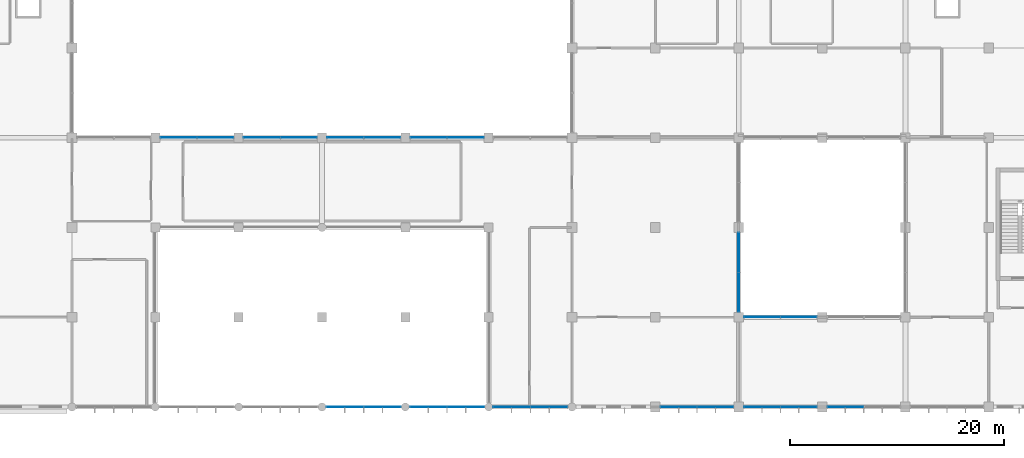
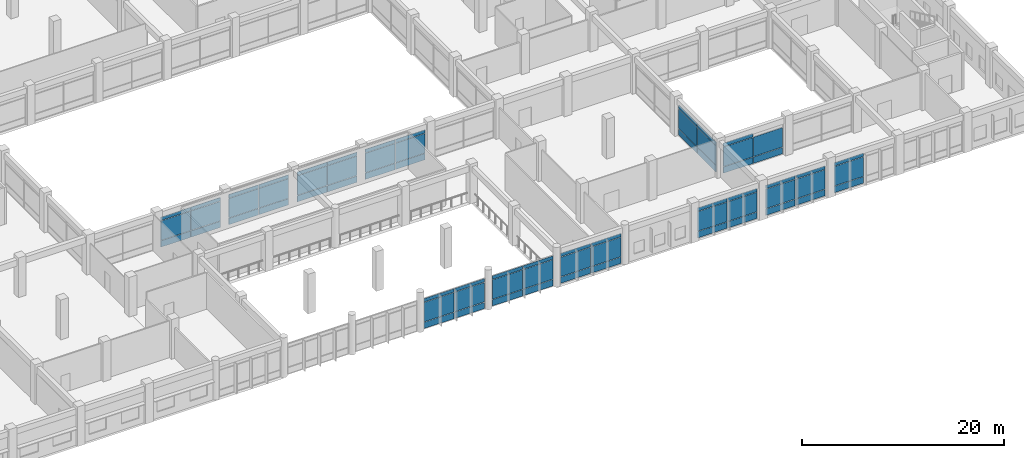
# One storey, part 49 of 79: 68 plates, 12 elements without a shape of their own.
"""IFC4 building model written with IfcOpenShell, lengths in metres."""

from ifc_helpers import new_model, si_unit, direction, frame, origin, origin_2d, place, context, subcontext, project, spatial, rectangle, extrude, material, layer, layer_set, type_object, element, aggregate, save


model = new_model("IFC4")

# Units and contexts
model_context = context("Model", 3, precision=1e-05, world=origin(), true_north=direction((0.0, 1.0)))
body_context = subcontext(model_context, "Body", "Model", "MODEL_VIEW")
ifc_project = project(units=[si_unit("LENGTHUNIT", "METRE"), si_unit("AREAUNIT", "SQUARE_METRE"), si_unit("VOLUMEUNIT", "CUBIC_METRE"), si_unit("PLANEANGLEUNIT", "RADIAN"), si_unit("MASSUNIT", "GRAM", prefix="KILO"), si_unit("THERMODYNAMICTEMPERATUREUNIT", "KELVIN"), si_unit("POWERUNIT", "WATT")], contexts=[model_context])

# Site, building, storey
site_placement = place(None, origin())
site = spatial("IfcSite", under=ifc_project, at=site_placement, CompositionType="ELEMENT")
building_placement = place(site_placement, origin())
building = spatial("IfcBuilding", under=site, at=building_placement, Name="Srebrne Nadtorze General Hospital", CompositionType="ELEMENT")
storey_placement = place(building_placement, frame((0.0, 0.0, 4.800048828125)))
storey = spatial("IfcBuildingStorey", under=building, at=storey_placement, Name="L01", CompositionType="ELEMENT", Elevation=4.800048828125)

# Curtain wall, plates
ifc_material_1 = material(Name="Anodised Aluminium", Category="aluminium")
curtain_wall_type_1 = type_object("IfcCurtainWallType", Name="Unitised curtain wall 7050x3750", PredefinedType="NOTDEFINED", material=ifc_material_1)
curtain_wall_1_placement = place(storey_placement, origin())
curtain_wall_1 = element("IfcCurtainWall", 1, at=curtain_wall_1_placement, inside=storey, type_object=curtain_wall_type_1, Name="Curtain wall CW-033", PredefinedType="NOTDEFINED")
ifc_material_2 = material(Name="Triple Low-E Glazing", Category="glass")
ifc_layer = layer(ifc_material_2, 0.050048828125)
ifc_layer_set = layer_set([ifc_layer], Name="Triple Low-E Glazing")
plate_type = type_object("IfcPlateType", Name="Glazed curtain panel 50", PredefinedType="CURTAIN_PANEL", material=ifc_layer_set)
plate_1_placement = place(storey_placement, frame((80.15380859375, 0.0, 0.06494140625), z_axis=(0.0, 0.0, 1.0), x_axis=(1.0, 0.0, 0.0)))
plate_1 = element("IfcPlate", 2, at=plate_1_placement, type_object=plate_type, Name="CW-033 panel 1.1", PredefinedType="CURTAIN_PANEL", context=body_context, shape_type="SweptSolid", body=[
    extrude(rectangle(XDim=3.427490234375, YDim=0.050048828125, at=origin_2d()), origin(), (0.0, 0.0, 1.0), 0.75244140625),
])
plate_2_placement = place(storey_placement, frame((80.15380859375, 0.0, 0.882568359375), z_axis=(0.0, 0.0, 1.0), x_axis=(1.0, 0.0, 0.0)))
plate_2 = element("IfcPlate", 3, at=plate_2_placement, type_object=plate_type, Name="CW-033 panel 1.2", PredefinedType="CURTAIN_PANEL", context=body_context, shape_type="SweptSolid", body=[
    extrude(rectangle(XDim=3.427490234375, YDim=0.050048828125, at=origin_2d()), origin(), (0.0, 0.0, 1.0), 2.3349609375),
])
plate_3_placement = place(storey_placement, frame((80.15380859375, 0.0, 3.2822265625), z_axis=(0.0, 0.0, 1.0), x_axis=(1.0, 0.0, 0.0)))
plate_3 = element("IfcPlate", 4, at=plate_3_placement, type_object=plate_type, Name="CW-033 panel 1.3", PredefinedType="CURTAIN_PANEL", context=body_context, shape_type="SweptSolid", body=[
    extrude(rectangle(XDim=3.427490234375, YDim=0.050048828125, at=origin_2d()), origin(), (0.0, 0.0, 1.0), 0.402587890625),
])
plate_4_placement = place(storey_placement, frame((83.646240234375, 0.0, 0.06494140625), z_axis=(0.0, 0.0, 1.0), x_axis=(1.0, 0.0, 0.0)))
plate_4 = element("IfcPlate", 5, at=plate_4_placement, type_object=plate_type, Name="CW-033 panel 2.1", PredefinedType="CURTAIN_PANEL", context=body_context, shape_type="SweptSolid", body=[
    extrude(rectangle(XDim=3.427490234375, YDim=0.050048828125, at=origin_2d()), origin(), (0.0, 0.0, 1.0), 0.75244140625),
])
plate_5_placement = place(storey_placement, frame((83.646240234375, 0.0, 0.882568359375), z_axis=(0.0, 0.0, 1.0), x_axis=(1.0, 0.0, 0.0)))
plate_5 = element("IfcPlate", 6, at=plate_5_placement, type_object=plate_type, Name="CW-033 panel 2.2", PredefinedType="CURTAIN_PANEL", context=body_context, shape_type="SweptSolid", body=[
    extrude(rectangle(XDim=3.427490234375, YDim=0.050048828125, at=origin_2d()), origin(), (0.0, 0.0, 1.0), 2.3349609375),
])
plate_6_placement = place(storey_placement, frame((83.646240234375, 0.0, 3.2822265625), z_axis=(0.0, 0.0, 1.0), x_axis=(1.0, 0.0, 0.0)))
plate_6 = element("IfcPlate", 7, at=plate_6_placement, type_object=plate_type, Name="CW-033 panel 2.3", PredefinedType="CURTAIN_PANEL", context=body_context, shape_type="SweptSolid", body=[
    extrude(rectangle(XDim=3.427490234375, YDim=0.050048828125, at=origin_2d()), origin(), (0.0, 0.0, 1.0), 0.402587890625),
])
aggregate(curtain_wall_1, [plate_1, plate_2, plate_3, plate_4, plate_5, plate_6])

curtain_wall_2_placement = place(storey_placement, origin())
curtain_wall_2 = element("IfcCurtainWall", 8, at=curtain_wall_2_placement, inside=storey, type_object=curtain_wall_type_1, Name="Curtain wall CW-034", PredefinedType="NOTDEFINED")
plate_7_placement = place(storey_placement, frame((87.952392578125, 0.0, 0.06005859375), z_axis=(0.0, 0.0, 1.0), x_axis=(1.0, 0.0, 0.0)))
plate_7 = element("IfcPlate", 9, at=plate_7_placement, type_object=plate_type, Name="CW-034 panel 1.1", PredefinedType="CURTAIN_PANEL", context=body_context, shape_type="SweptSolid", body=[
    extrude(rectangle(XDim=3.43505859375, YDim=0.050048828125, at=origin_2d()), origin(), (0.0, 0.0, 1.0), 0.760009765625),
])
plate_8_placement = place(storey_placement, frame((87.952392578125, 0.0, 0.8798828125), z_axis=(0.0, 0.0, 1.0), x_axis=(1.0, 0.0, 0.0)))
plate_8 = element("IfcPlate", 10, at=plate_8_placement, type_object=plate_type, Name="CW-034 panel 1.2", PredefinedType="CURTAIN_PANEL", context=body_context, shape_type="SweptSolid", body=[
    extrude(rectangle(XDim=3.43505859375, YDim=0.050048828125, at=origin_2d()), origin(), (0.0, 0.0, 1.0), 2.340087890625),
])
plate_9_placement = place(storey_placement, frame((87.952392578125, 0.0, 3.27978515625), z_axis=(0.0, 0.0, 1.0), x_axis=(1.0, 0.0, 0.0)))
plate_9 = element("IfcPlate", 11, at=plate_9_placement, type_object=plate_type, Name="CW-034 panel 1.3", PredefinedType="CURTAIN_PANEL", context=body_context, shape_type="SweptSolid", body=[
    extrude(rectangle(XDim=3.43505859375, YDim=0.050048828125, at=origin_2d()), origin(), (0.0, 0.0, 1.0), 0.409912109375),
])
plate_10_placement = place(storey_placement, frame((91.447509765625, 0.0, 0.06005859375), z_axis=(0.0, 0.0, 1.0), x_axis=(1.0, 0.0, 0.0)))
plate_10 = element("IfcPlate", 12, at=plate_10_placement, type_object=plate_type, Name="CW-034 panel 2.1", PredefinedType="CURTAIN_PANEL", context=body_context, shape_type="SweptSolid", body=[
    extrude(rectangle(XDim=3.43505859375, YDim=0.050048828125, at=origin_2d()), origin(), (0.0, 0.0, 1.0), 0.760009765625),
])
plate_11_placement = place(storey_placement, frame((91.447509765625, 0.0, 0.8798828125), z_axis=(0.0, 0.0, 1.0), x_axis=(1.0, 0.0, 0.0)))
plate_11 = element("IfcPlate", 13, at=plate_11_placement, type_object=plate_type, Name="CW-034 panel 2.2", PredefinedType="CURTAIN_PANEL", context=body_context, shape_type="SweptSolid", body=[
    extrude(rectangle(XDim=3.43505859375, YDim=0.050048828125, at=origin_2d()), origin(), (0.0, 0.0, 1.0), 2.340087890625),
])
plate_12_placement = place(storey_placement, frame((91.447509765625, 0.0, 3.27978515625), z_axis=(0.0, 0.0, 1.0), x_axis=(1.0, 0.0, 0.0)))
plate_12 = element("IfcPlate", 14, at=plate_12_placement, type_object=plate_type, Name="CW-034 panel 2.3", PredefinedType="CURTAIN_PANEL", context=body_context, shape_type="SweptSolid", body=[
    extrude(rectangle(XDim=3.43505859375, YDim=0.050048828125, at=origin_2d()), origin(), (0.0, 0.0, 1.0), 0.409912109375),
])
aggregate(curtain_wall_2, [plate_7, plate_8, plate_9, plate_10, plate_11, plate_12])

curtain_wall_3_placement = place(storey_placement, origin())
curtain_wall_3 = element("IfcCurtainWall", 15, at=curtain_wall_3_placement, inside=storey, type_object=curtain_wall_type_1, Name="Curtain wall CW-035", PredefinedType="NOTDEFINED")
plate_13_placement = place(storey_placement, frame((95.753662109375, 0.0, 0.06494140625), z_axis=(0.0, 0.0, 1.0), x_axis=(1.0, 0.0, 0.0)))
plate_13 = element("IfcPlate", 16, at=plate_13_placement, type_object=plate_type, Name="CW-035 panel 1.1", PredefinedType="CURTAIN_PANEL", context=body_context, shape_type="SweptSolid", body=[
    extrude(rectangle(XDim=3.427490234375, YDim=0.050048828125, at=origin_2d()), origin(), (0.0, 0.0, 1.0), 0.75244140625),
])
plate_14_placement = place(storey_placement, frame((95.753662109375, 0.0, 0.882568359375), z_axis=(0.0, 0.0, 1.0), x_axis=(1.0, 0.0, 0.0)))
plate_14 = element("IfcPlate", 17, at=plate_14_placement, type_object=plate_type, Name="CW-035 panel 1.2", PredefinedType="CURTAIN_PANEL", context=body_context, shape_type="SweptSolid", body=[
    extrude(rectangle(XDim=3.427490234375, YDim=0.050048828125, at=origin_2d()), origin(), (0.0, 0.0, 1.0), 2.3349609375),
])
plate_15_placement = place(storey_placement, frame((95.753662109375, 0.0, 3.2822265625), z_axis=(0.0, 0.0, 1.0), x_axis=(1.0, 0.0, 0.0)))
plate_15 = element("IfcPlate", 18, at=plate_15_placement, type_object=plate_type, Name="CW-035 panel 1.3", PredefinedType="CURTAIN_PANEL", context=body_context, shape_type="SweptSolid", body=[
    extrude(rectangle(XDim=3.427490234375, YDim=0.050048828125, at=origin_2d()), origin(), (0.0, 0.0, 1.0), 0.402587890625),
])
plate_16_placement = place(storey_placement, frame((99.246337890625, 0.0, 0.06494140625), z_axis=(0.0, 0.0, 1.0), x_axis=(1.0, 0.0, 0.0)))
plate_16 = element("IfcPlate", 19, at=plate_16_placement, type_object=plate_type, Name="CW-035 panel 2.1", PredefinedType="CURTAIN_PANEL", context=body_context, shape_type="SweptSolid", body=[
    extrude(rectangle(XDim=3.427490234375, YDim=0.050048828125, at=origin_2d()), origin(), (0.0, 0.0, 1.0), 0.75244140625),
])
plate_17_placement = place(storey_placement, frame((99.246337890625, 0.0, 0.882568359375), z_axis=(0.0, 0.0, 1.0), x_axis=(1.0, 0.0, 0.0)))
plate_17 = element("IfcPlate", 20, at=plate_17_placement, type_object=plate_type, Name="CW-035 panel 2.2", PredefinedType="CURTAIN_PANEL", context=body_context, shape_type="SweptSolid", body=[
    extrude(rectangle(XDim=3.427490234375, YDim=0.050048828125, at=origin_2d()), origin(), (0.0, 0.0, 1.0), 2.3349609375),
])
plate_18_placement = place(storey_placement, frame((99.246337890625, 0.0, 3.2822265625), z_axis=(0.0, 0.0, 1.0), x_axis=(1.0, 0.0, 0.0)))
plate_18 = element("IfcPlate", 21, at=plate_18_placement, type_object=plate_type, Name="CW-035 panel 2.3", PredefinedType="CURTAIN_PANEL", context=body_context, shape_type="SweptSolid", body=[
    extrude(rectangle(XDim=3.427490234375, YDim=0.050048828125, at=origin_2d()), origin(), (0.0, 0.0, 1.0), 0.402587890625),
])
aggregate(curtain_wall_3, [plate_13, plate_14, plate_15, plate_16, plate_17, plate_18])

ifc_material_3 = material(Name="Anodised Aluminium", Category="aluminium")
curtain_wall_type_2 = type_object("IfcCurtainWallType", Name="Unitised curtain wall 6900x3750", PredefinedType="NOTDEFINED", material=ifc_material_3)
curtain_wall_4_placement = place(storey_placement, origin())
curtain_wall_4 = element("IfcCurtainWall", 22, at=curtain_wall_4_placement, inside=storey, type_object=curtain_wall_type_2, Name="Curtain wall CW-036", PredefinedType="NOTDEFINED")
plate_19_placement = place(storey_placement, frame((111.389892578125, 0.0, 0.06005859375), z_axis=(0.0, 0.0, 1.0), x_axis=(1.0, 0.0, 0.0)))
plate_19 = element("IfcPlate", 23, at=plate_19_placement, type_object=plate_type, Name="CW-036 panel 1.1", PredefinedType="CURTAIN_PANEL", context=body_context, shape_type="SweptSolid", body=[
    extrude(rectangle(XDim=3.360107421875, YDim=0.050048828125, at=origin_2d()), origin(), (0.0, 0.0, 1.0), 0.760009765625),
])
plate_20_placement = place(storey_placement, frame((111.389892578125, 0.0, 0.8798828125), z_axis=(0.0, 0.0, 1.0), x_axis=(1.0, 0.0, 0.0)))
plate_20 = element("IfcPlate", 24, at=plate_20_placement, type_object=plate_type, Name="CW-036 panel 1.2", PredefinedType="CURTAIN_PANEL", context=body_context, shape_type="SweptSolid", body=[
    extrude(rectangle(XDim=3.360107421875, YDim=0.050048828125, at=origin_2d()), origin(), (0.0, 0.0, 1.0), 2.340087890625),
])
plate_21_placement = place(storey_placement, frame((111.389892578125, 0.0, 3.27978515625), z_axis=(0.0, 0.0, 1.0), x_axis=(1.0, 0.0, 0.0)))
plate_21 = element("IfcPlate", 25, at=plate_21_placement, type_object=plate_type, Name="CW-036 panel 1.3", PredefinedType="CURTAIN_PANEL", context=body_context, shape_type="SweptSolid", body=[
    extrude(rectangle(XDim=3.360107421875, YDim=0.050048828125, at=origin_2d()), origin(), (0.0, 0.0, 1.0), 0.409912109375),
])
plate_22_placement = place(storey_placement, frame((114.81005859375, 0.0, 0.06005859375), z_axis=(0.0, 0.0, 1.0), x_axis=(1.0, 0.0, 0.0)))
plate_22 = element("IfcPlate", 26, at=plate_22_placement, type_object=plate_type, Name="CW-036 panel 2.1", PredefinedType="CURTAIN_PANEL", context=body_context, shape_type="SweptSolid", body=[
    extrude(rectangle(XDim=3.360107421875, YDim=0.050048828125, at=origin_2d()), origin(), (0.0, 0.0, 1.0), 0.760009765625),
])
plate_23_placement = place(storey_placement, frame((114.81005859375, 0.0, 0.8798828125), z_axis=(0.0, 0.0, 1.0), x_axis=(1.0, 0.0, 0.0)))
plate_23 = element("IfcPlate", 27, at=plate_23_placement, type_object=plate_type, Name="CW-036 panel 2.2", PredefinedType="CURTAIN_PANEL", context=body_context, shape_type="SweptSolid", body=[
    extrude(rectangle(XDim=3.360107421875, YDim=0.050048828125, at=origin_2d()), origin(), (0.0, 0.0, 1.0), 2.340087890625),
])
plate_24_placement = place(storey_placement, frame((114.81005859375, 0.0, 3.27978515625), z_axis=(0.0, 0.0, 1.0), x_axis=(1.0, 0.0, 0.0)))
plate_24 = element("IfcPlate", 28, at=plate_24_placement, type_object=plate_type, Name="CW-036 panel 2.3", PredefinedType="CURTAIN_PANEL", context=body_context, shape_type="SweptSolid", body=[
    extrude(rectangle(XDim=3.360107421875, YDim=0.050048828125, at=origin_2d()), origin(), (0.0, 0.0, 1.0), 0.409912109375),
])
aggregate(curtain_wall_4, [plate_19, plate_20, plate_21, plate_22, plate_23, plate_24])

curtain_wall_5_placement = place(storey_placement, origin())
curtain_wall_5 = element("IfcCurtainWall", 29, at=curtain_wall_5_placement, inside=storey, type_object=curtain_wall_type_2, Name="Curtain wall CW-037", PredefinedType="NOTDEFINED")
plate_25_placement = place(storey_placement, frame((119.191162109375, 0.0, 0.06494140625), z_axis=(0.0, 0.0, 1.0), x_axis=(1.0, 0.0, 0.0)))
plate_25 = element("IfcPlate", 30, at=plate_25_placement, type_object=plate_type, Name="CW-037 panel 1.1", PredefinedType="CURTAIN_PANEL", context=body_context, shape_type="SweptSolid", body=[
    extrude(rectangle(XDim=3.3525390625, YDim=0.050048828125, at=origin_2d()), origin(), (0.0, 0.0, 1.0), 0.75244140625),
])
plate_26_placement = place(storey_placement, frame((119.191162109375, 0.0, 0.882568359375), z_axis=(0.0, 0.0, 1.0), x_axis=(1.0, 0.0, 0.0)))
plate_26 = element("IfcPlate", 31, at=plate_26_placement, type_object=plate_type, Name="CW-037 panel 1.2", PredefinedType="CURTAIN_PANEL", context=body_context, shape_type="SweptSolid", body=[
    extrude(rectangle(XDim=3.3525390625, YDim=0.050048828125, at=origin_2d()), origin(), (0.0, 0.0, 1.0), 2.3349609375),
])
plate_27_placement = place(storey_placement, frame((119.191162109375, 0.0, 3.2822265625), z_axis=(0.0, 0.0, 1.0), x_axis=(1.0, 0.0, 0.0)))
plate_27 = element("IfcPlate", 32, at=plate_27_placement, type_object=plate_type, Name="CW-037 panel 1.3", PredefinedType="CURTAIN_PANEL", context=body_context, shape_type="SweptSolid", body=[
    extrude(rectangle(XDim=3.3525390625, YDim=0.050048828125, at=origin_2d()), origin(), (0.0, 0.0, 1.0), 0.402587890625),
])
plate_28_placement = place(storey_placement, frame((122.608642578125, 0.0, 0.06494140625), z_axis=(0.0, 0.0, 1.0), x_axis=(1.0, 0.0, 0.0)))
plate_28 = element("IfcPlate", 33, at=plate_28_placement, type_object=plate_type, Name="CW-037 panel 2.1", PredefinedType="CURTAIN_PANEL", context=body_context, shape_type="SweptSolid", body=[
    extrude(rectangle(XDim=3.3525390625, YDim=0.050048828125, at=origin_2d()), origin(), (0.0, 0.0, 1.0), 0.75244140625),
])
plate_29_placement = place(storey_placement, frame((122.608642578125, 0.0, 0.882568359375), z_axis=(0.0, 0.0, 1.0), x_axis=(1.0, 0.0, 0.0)))
plate_29 = element("IfcPlate", 34, at=plate_29_placement, type_object=plate_type, Name="CW-037 panel 2.2", PredefinedType="CURTAIN_PANEL", context=body_context, shape_type="SweptSolid", body=[
    extrude(rectangle(XDim=3.3525390625, YDim=0.050048828125, at=origin_2d()), origin(), (0.0, 0.0, 1.0), 2.3349609375),
])
plate_30_placement = place(storey_placement, frame((122.608642578125, 0.0, 3.2822265625), z_axis=(0.0, 0.0, 1.0), x_axis=(1.0, 0.0, 0.0)))
plate_30 = element("IfcPlate", 35, at=plate_30_placement, type_object=plate_type, Name="CW-037 panel 2.3", PredefinedType="CURTAIN_PANEL", context=body_context, shape_type="SweptSolid", body=[
    extrude(rectangle(XDim=3.3525390625, YDim=0.050048828125, at=origin_2d()), origin(), (0.0, 0.0, 1.0), 0.402587890625),
])
aggregate(curtain_wall_5, [plate_25, plate_26, plate_27, plate_28, plate_29, plate_30])

curtain_wall_6_placement = place(storey_placement, origin())
curtain_wall_6 = element("IfcCurtainWall", 36, at=curtain_wall_6_placement, inside=storey, type_object=curtain_wall_type_2, Name="Curtain wall CW-038", PredefinedType="NOTDEFINED")
plate_31_placement = place(storey_placement, frame((126.989990234375, 0.0, 0.06005859375), z_axis=(0.0, 0.0, 1.0), x_axis=(1.0, 0.0, 0.0)))
plate_31 = element("IfcPlate", 37, at=plate_31_placement, type_object=plate_type, Name="CW-038 panel 1.1", PredefinedType="CURTAIN_PANEL", context=body_context, shape_type="SweptSolid", body=[
    extrude(rectangle(XDim=3.360107421875, YDim=0.050048828125, at=origin_2d()), origin(), (0.0, 0.0, 1.0), 0.760009765625),
])
plate_32_placement = place(storey_placement, frame((126.989990234375, 0.0, 0.8798828125), z_axis=(0.0, 0.0, 1.0), x_axis=(1.0, 0.0, 0.0)))
plate_32 = element("IfcPlate", 38, at=plate_32_placement, type_object=plate_type, Name="CW-038 panel 1.2", PredefinedType="CURTAIN_PANEL", context=body_context, shape_type="SweptSolid", body=[
    extrude(rectangle(XDim=3.360107421875, YDim=0.050048828125, at=origin_2d()), origin(), (0.0, 0.0, 1.0), 2.340087890625),
])
plate_33_placement = place(storey_placement, frame((126.989990234375, 0.0, 3.27978515625), z_axis=(0.0, 0.0, 1.0), x_axis=(1.0, 0.0, 0.0)))
plate_33 = element("IfcPlate", 39, at=plate_33_placement, type_object=plate_type, Name="CW-038 panel 1.3", PredefinedType="CURTAIN_PANEL", context=body_context, shape_type="SweptSolid", body=[
    extrude(rectangle(XDim=3.360107421875, YDim=0.050048828125, at=origin_2d()), origin(), (0.0, 0.0, 1.0), 0.409912109375),
])
aggregate(curtain_wall_6, [plate_31, plate_32, plate_33])

curtain_wall_7_placement = place(storey_placement, origin())
curtain_wall_7 = element("IfcCurtainWall", 40, at=curtain_wall_7_placement, inside=storey, type_object=curtain_wall_type_2, Name="Curtain wall CW-040", PredefinedType="NOTDEFINED")
plate_34_placement = place(storey_placement, frame((119.18994140625, 8.39990234375, 0.06005859375), z_axis=(0.0, 0.0, 1.0), x_axis=(1.0, 0.0, 0.0)))
plate_34 = element("IfcPlate", 41, at=plate_34_placement, type_object=plate_type, Name="CW-040 panel 1.1", PredefinedType="CURTAIN_PANEL", context=body_context, shape_type="SweptSolid", body=[
    extrude(rectangle(XDim=3.360107421875, YDim=0.050048828125, at=origin_2d()), origin(), (0.0, 0.0, 1.0), 0.760009765625),
])
plate_35_placement = place(storey_placement, frame((119.18994140625, 8.39990234375, 0.8798828125), z_axis=(0.0, 0.0, 1.0), x_axis=(1.0, 0.0, 0.0)))
plate_35 = element("IfcPlate", 42, at=plate_35_placement, type_object=plate_type, Name="CW-040 panel 1.2", PredefinedType="CURTAIN_PANEL", context=body_context, shape_type="SweptSolid", body=[
    extrude(rectangle(XDim=3.360107421875, YDim=0.050048828125, at=origin_2d()), origin(), (0.0, 0.0, 1.0), 2.340087890625),
])
plate_36_placement = place(storey_placement, frame((119.18994140625, 8.39990234375, 3.27978515625), z_axis=(0.0, 0.0, 1.0), x_axis=(1.0, 0.0, 0.0)))
plate_36 = element("IfcPlate", 43, at=plate_36_placement, type_object=plate_type, Name="CW-040 panel 1.3", PredefinedType="CURTAIN_PANEL", context=body_context, shape_type="SweptSolid", body=[
    extrude(rectangle(XDim=3.360107421875, YDim=0.050048828125, at=origin_2d()), origin(), (0.0, 0.0, 1.0), 0.409912109375),
])
plate_37_placement = place(storey_placement, frame((122.610107421875, 8.39990234375, 0.06005859375), z_axis=(0.0, 0.0, 1.0), x_axis=(1.0, 0.0, 0.0)))
plate_37 = element("IfcPlate", 44, at=plate_37_placement, type_object=plate_type, Name="CW-040 panel 2.1", PredefinedType="CURTAIN_PANEL", context=body_context, shape_type="SweptSolid", body=[
    extrude(rectangle(XDim=3.360107421875, YDim=0.050048828125, at=origin_2d()), origin(), (0.0, 0.0, 1.0), 0.760009765625),
])
plate_38_placement = place(storey_placement, frame((122.610107421875, 8.39990234375, 0.8798828125), z_axis=(0.0, 0.0, 1.0), x_axis=(1.0, 0.0, 0.0)))
plate_38 = element("IfcPlate", 45, at=plate_38_placement, type_object=plate_type, Name="CW-040 panel 2.2", PredefinedType="CURTAIN_PANEL", context=body_context, shape_type="SweptSolid", body=[
    extrude(rectangle(XDim=3.360107421875, YDim=0.050048828125, at=origin_2d()), origin(), (0.0, 0.0, 1.0), 2.340087890625),
])
aggregate(curtain_wall_7, [plate_34, plate_35, plate_36, plate_37, plate_38])

ifc_material_4 = material(Name="Anodised Aluminium", Category="aluminium")
curtain_wall_type_3 = type_object("IfcCurtainWallType", Name="Unitised curtain wall 6950x3750", PredefinedType="NOTDEFINED", material=ifc_material_4)
curtain_wall_8_placement = place(storey_placement, origin())
curtain_wall_8 = element("IfcCurtainWall", 46, at=curtain_wall_8_placement, inside=storey, type_object=curtain_wall_type_3, Name="Curtain wall CW-043", PredefinedType="NOTDEFINED")
plate_39_placement = place(storey_placement, frame((64.578857421875, 25.199951171875, 0.06494140625), z_axis=(0.0, 0.0, 1.0), x_axis=(1.0, 0.0, 0.0)))
plate_39 = element("IfcPlate", 47, at=plate_39_placement, type_object=plate_type, Name="CW-043 panel 1.1", PredefinedType="CURTAIN_PANEL", context=body_context, shape_type="SweptSolid", body=[
    extrude(rectangle(XDim=3.37744140625, YDim=0.050048828125, at=origin_2d()), origin(), (0.0, 0.0, 1.0), 0.75244140625),
])
plate_40_placement = place(storey_placement, frame((64.578857421875, 25.199951171875, 0.882568359375), z_axis=(0.0, 0.0, 1.0), x_axis=(1.0, 0.0, 0.0)))
plate_40 = element("IfcPlate", 48, at=plate_40_placement, type_object=plate_type, Name="CW-043 panel 1.2", PredefinedType="CURTAIN_PANEL", context=body_context, shape_type="SweptSolid", body=[
    extrude(rectangle(XDim=3.37744140625, YDim=0.050048828125, at=origin_2d()), origin(), (0.0, 0.0, 1.0), 2.3349609375),
])
plate_41_placement = place(storey_placement, frame((64.578857421875, 25.199951171875, 3.2822265625), z_axis=(0.0, 0.0, 1.0), x_axis=(1.0, 0.0, 0.0)))
plate_41 = element("IfcPlate", 49, at=plate_41_placement, type_object=plate_type, Name="CW-043 panel 1.3", PredefinedType="CURTAIN_PANEL", context=body_context, shape_type="SweptSolid", body=[
    extrude(rectangle(XDim=3.37744140625, YDim=0.050048828125, at=origin_2d()), origin(), (0.0, 0.0, 1.0), 0.402587890625),
])
plate_42_placement = place(storey_placement, frame((68.021240234375, 25.199951171875, 0.06494140625), z_axis=(0.0, 0.0, 1.0), x_axis=(1.0, 0.0, 0.0)))
plate_42 = element("IfcPlate", 50, at=plate_42_placement, type_object=plate_type, Name="CW-043 panel 2.1", PredefinedType="CURTAIN_PANEL", context=body_context, shape_type="SweptSolid", body=[
    extrude(rectangle(XDim=3.37744140625, YDim=0.050048828125, at=origin_2d()), origin(), (0.0, 0.0, 1.0), 0.75244140625),
])
plate_43_placement = place(storey_placement, frame((68.021240234375, 25.199951171875, 0.882568359375), z_axis=(0.0, 0.0, 1.0), x_axis=(1.0, 0.0, 0.0)))
plate_43 = element("IfcPlate", 51, at=plate_43_placement, type_object=plate_type, Name="CW-043 panel 2.2", PredefinedType="CURTAIN_PANEL", context=body_context, shape_type="SweptSolid", body=[
    extrude(rectangle(XDim=3.37744140625, YDim=0.050048828125, at=origin_2d()), origin(), (0.0, 0.0, 1.0), 2.3349609375),
])
plate_44_placement = place(storey_placement, frame((68.021240234375, 25.199951171875, 3.2822265625), z_axis=(0.0, 0.0, 1.0), x_axis=(1.0, 0.0, 0.0)))
plate_44 = element("IfcPlate", 52, at=plate_44_placement, type_object=plate_type, Name="CW-043 panel 2.3", PredefinedType="CURTAIN_PANEL", context=body_context, shape_type="SweptSolid", body=[
    extrude(rectangle(XDim=3.37744140625, YDim=0.050048828125, at=origin_2d()), origin(), (0.0, 0.0, 1.0), 0.402587890625),
])
aggregate(curtain_wall_8, [plate_39, plate_40, plate_41, plate_42, plate_43, plate_44])

curtain_wall_9_placement = place(storey_placement, origin())
curtain_wall_9 = element("IfcCurtainWall", 53, at=curtain_wall_9_placement, inside=storey, type_object=curtain_wall_type_3, Name="Curtain wall CW-044", PredefinedType="NOTDEFINED")
plate_45_placement = place(storey_placement, frame((72.37744140625, 25.199951171875, 0.06005859375), z_axis=(0.0, 0.0, 1.0), x_axis=(1.0, 0.0, 0.0)))
plate_45 = element("IfcPlate", 54, at=plate_45_placement, type_object=plate_type, Name="CW-044 panel 1.1", PredefinedType="CURTAIN_PANEL", context=body_context, shape_type="SweptSolid", body=[
    extrude(rectangle(XDim=3.385009765625, YDim=0.050048828125, at=origin_2d()), origin(), (0.0, 0.0, 1.0), 0.760009765625),
])
plate_46_placement = place(storey_placement, frame((72.37744140625, 25.199951171875, 0.8798828125), z_axis=(0.0, 0.0, 1.0), x_axis=(1.0, 0.0, 0.0)))
plate_46 = element("IfcPlate", 55, at=plate_46_placement, type_object=plate_type, Name="CW-044 panel 1.2", PredefinedType="CURTAIN_PANEL", context=body_context, shape_type="SweptSolid", body=[
    extrude(rectangle(XDim=3.385009765625, YDim=0.050048828125, at=origin_2d()), origin(), (0.0, 0.0, 1.0), 2.340087890625),
])
plate_47_placement = place(storey_placement, frame((72.37744140625, 25.199951171875, 3.27978515625), z_axis=(0.0, 0.0, 1.0), x_axis=(1.0, 0.0, 0.0)))
plate_47 = element("IfcPlate", 56, at=plate_47_placement, type_object=plate_type, Name="CW-044 panel 1.3", PredefinedType="CURTAIN_PANEL", context=body_context, shape_type="SweptSolid", body=[
    extrude(rectangle(XDim=3.385009765625, YDim=0.050048828125, at=origin_2d()), origin(), (0.0, 0.0, 1.0), 0.409912109375),
])
plate_48_placement = place(storey_placement, frame((75.822509765625, 25.199951171875, 0.06005859375), z_axis=(0.0, 0.0, 1.0), x_axis=(1.0, 0.0, 0.0)))
plate_48 = element("IfcPlate", 57, at=plate_48_placement, type_object=plate_type, Name="CW-044 panel 2.1", PredefinedType="CURTAIN_PANEL", context=body_context, shape_type="SweptSolid", body=[
    extrude(rectangle(XDim=3.385009765625, YDim=0.050048828125, at=origin_2d()), origin(), (0.0, 0.0, 1.0), 0.760009765625),
])
plate_49_placement = place(storey_placement, frame((75.822509765625, 25.199951171875, 0.8798828125), z_axis=(0.0, 0.0, 1.0), x_axis=(1.0, 0.0, 0.0)))
plate_49 = element("IfcPlate", 58, at=plate_49_placement, type_object=plate_type, Name="CW-044 panel 2.2", PredefinedType="CURTAIN_PANEL", context=body_context, shape_type="SweptSolid", body=[
    extrude(rectangle(XDim=3.385009765625, YDim=0.050048828125, at=origin_2d()), origin(), (0.0, 0.0, 1.0), 2.340087890625),
])
plate_50_placement = place(storey_placement, frame((75.822509765625, 25.199951171875, 3.27978515625), z_axis=(0.0, 0.0, 1.0), x_axis=(1.0, 0.0, 0.0)))
plate_50 = element("IfcPlate", 59, at=plate_50_placement, type_object=plate_type, Name="CW-044 panel 2.3", PredefinedType="CURTAIN_PANEL", context=body_context, shape_type="SweptSolid", body=[
    extrude(rectangle(XDim=3.385009765625, YDim=0.050048828125, at=origin_2d()), origin(), (0.0, 0.0, 1.0), 0.409912109375),
])
aggregate(curtain_wall_9, [plate_45, plate_46, plate_47, plate_48, plate_49, plate_50])

curtain_wall_10_placement = place(storey_placement, origin())
curtain_wall_10 = element("IfcCurtainWall", 60, at=curtain_wall_10_placement, inside=storey, type_object=curtain_wall_type_3, Name="Curtain wall CW-045", PredefinedType="NOTDEFINED")
plate_51_placement = place(storey_placement, frame((80.1787109375, 25.199951171875, 0.06494140625), z_axis=(0.0, 0.0, 1.0), x_axis=(1.0, 0.0, 0.0)))
plate_51 = element("IfcPlate", 61, at=plate_51_placement, type_object=plate_type, Name="CW-045 panel 1.1", PredefinedType="CURTAIN_PANEL", context=body_context, shape_type="SweptSolid", body=[
    extrude(rectangle(XDim=3.37744140625, YDim=0.050048828125, at=origin_2d()), origin(), (0.0, 0.0, 1.0), 0.75244140625),
])
plate_52_placement = place(storey_placement, frame((80.1787109375, 25.199951171875, 0.882568359375), z_axis=(0.0, 0.0, 1.0), x_axis=(1.0, 0.0, 0.0)))
plate_52 = element("IfcPlate", 62, at=plate_52_placement, type_object=plate_type, Name="CW-045 panel 1.2", PredefinedType="CURTAIN_PANEL", context=body_context, shape_type="SweptSolid", body=[
    extrude(rectangle(XDim=3.37744140625, YDim=0.050048828125, at=origin_2d()), origin(), (0.0, 0.0, 1.0), 2.3349609375),
])
plate_53_placement = place(storey_placement, frame((80.1787109375, 25.199951171875, 3.2822265625), z_axis=(0.0, 0.0, 1.0), x_axis=(1.0, 0.0, 0.0)))
plate_53 = element("IfcPlate", 63, at=plate_53_placement, type_object=plate_type, Name="CW-045 panel 1.3", PredefinedType="CURTAIN_PANEL", context=body_context, shape_type="SweptSolid", body=[
    extrude(rectangle(XDim=3.37744140625, YDim=0.050048828125, at=origin_2d()), origin(), (0.0, 0.0, 1.0), 0.402587890625),
])
plate_54_placement = place(storey_placement, frame((83.621337890625, 25.199951171875, 0.06494140625), z_axis=(0.0, 0.0, 1.0), x_axis=(1.0, 0.0, 0.0)))
plate_54 = element("IfcPlate", 64, at=plate_54_placement, type_object=plate_type, Name="CW-045 panel 2.1", PredefinedType="CURTAIN_PANEL", context=body_context, shape_type="SweptSolid", body=[
    extrude(rectangle(XDim=3.37744140625, YDim=0.050048828125, at=origin_2d()), origin(), (0.0, 0.0, 1.0), 0.75244140625),
])
plate_55_placement = place(storey_placement, frame((83.621337890625, 25.199951171875, 0.882568359375), z_axis=(0.0, 0.0, 1.0), x_axis=(1.0, 0.0, 0.0)))
plate_55 = element("IfcPlate", 65, at=plate_55_placement, type_object=plate_type, Name="CW-045 panel 2.2", PredefinedType="CURTAIN_PANEL", context=body_context, shape_type="SweptSolid", body=[
    extrude(rectangle(XDim=3.37744140625, YDim=0.050048828125, at=origin_2d()), origin(), (0.0, 0.0, 1.0), 2.3349609375),
])
plate_56_placement = place(storey_placement, frame((83.621337890625, 25.199951171875, 3.2822265625), z_axis=(0.0, 0.0, 1.0), x_axis=(1.0, 0.0, 0.0)))
plate_56 = element("IfcPlate", 66, at=plate_56_placement, type_object=plate_type, Name="CW-045 panel 2.3", PredefinedType="CURTAIN_PANEL", context=body_context, shape_type="SweptSolid", body=[
    extrude(rectangle(XDim=3.37744140625, YDim=0.050048828125, at=origin_2d()), origin(), (0.0, 0.0, 1.0), 0.402587890625),
])
aggregate(curtain_wall_10, [plate_51, plate_52, plate_53, plate_54, plate_55, plate_56])

curtain_wall_11_placement = place(storey_placement, origin())
curtain_wall_11 = element("IfcCurtainWall", 67, at=curtain_wall_11_placement, inside=storey, type_object=curtain_wall_type_3, Name="Curtain wall CW-046", PredefinedType="NOTDEFINED")
plate_57_placement = place(storey_placement, frame((87.9775390625, 25.199951171875, 0.06005859375), z_axis=(0.0, 0.0, 1.0), x_axis=(1.0, 0.0, 0.0)))
plate_57 = element("IfcPlate", 68, at=plate_57_placement, type_object=plate_type, Name="CW-046 panel 1.1", PredefinedType="CURTAIN_PANEL", context=body_context, shape_type="SweptSolid", body=[
    extrude(rectangle(XDim=3.385009765625, YDim=0.050048828125, at=origin_2d()), origin(), (0.0, 0.0, 1.0), 0.760009765625),
])
plate_58_placement = place(storey_placement, frame((87.9775390625, 25.199951171875, 0.8798828125), z_axis=(0.0, 0.0, 1.0), x_axis=(1.0, 0.0, 0.0)))
plate_58 = element("IfcPlate", 69, at=plate_58_placement, type_object=plate_type, Name="CW-046 panel 1.2", PredefinedType="CURTAIN_PANEL", context=body_context, shape_type="SweptSolid", body=[
    extrude(rectangle(XDim=3.385009765625, YDim=0.050048828125, at=origin_2d()), origin(), (0.0, 0.0, 1.0), 2.340087890625),
])
plate_59_placement = place(storey_placement, frame((87.9775390625, 25.199951171875, 3.27978515625), z_axis=(0.0, 0.0, 1.0), x_axis=(1.0, 0.0, 0.0)))
plate_59 = element("IfcPlate", 70, at=plate_59_placement, type_object=plate_type, Name="CW-046 panel 1.3", PredefinedType="CURTAIN_PANEL", context=body_context, shape_type="SweptSolid", body=[
    extrude(rectangle(XDim=3.385009765625, YDim=0.050048828125, at=origin_2d()), origin(), (0.0, 0.0, 1.0), 0.409912109375),
])
plate_60_placement = place(storey_placement, frame((91.422607421875, 25.199951171875, 0.06005859375), z_axis=(0.0, 0.0, 1.0), x_axis=(1.0, 0.0, 0.0)))
plate_60 = element("IfcPlate", 71, at=plate_60_placement, type_object=plate_type, Name="CW-046 panel 2.1", PredefinedType="CURTAIN_PANEL", context=body_context, shape_type="SweptSolid", body=[
    extrude(rectangle(XDim=3.385009765625, YDim=0.050048828125, at=origin_2d()), origin(), (0.0, 0.0, 1.0), 0.760009765625),
])
plate_61_placement = place(storey_placement, frame((91.422607421875, 25.199951171875, 0.8798828125), z_axis=(0.0, 0.0, 1.0), x_axis=(1.0, 0.0, 0.0)))
plate_61 = element("IfcPlate", 72, at=plate_61_placement, type_object=plate_type, Name="CW-046 panel 2.2", PredefinedType="CURTAIN_PANEL", context=body_context, shape_type="SweptSolid", body=[
    extrude(rectangle(XDim=3.385009765625, YDim=0.050048828125, at=origin_2d()), origin(), (0.0, 0.0, 1.0), 2.340087890625),
])
plate_62_placement = place(storey_placement, frame((91.422607421875, 25.199951171875, 3.27978515625), z_axis=(0.0, 0.0, 1.0), x_axis=(1.0, 0.0, 0.0)))
plate_62 = element("IfcPlate", 73, at=plate_62_placement, type_object=plate_type, Name="CW-046 panel 2.3", PredefinedType="CURTAIN_PANEL", context=body_context, shape_type="SweptSolid", body=[
    extrude(rectangle(XDim=3.385009765625, YDim=0.050048828125, at=origin_2d()), origin(), (0.0, 0.0, 1.0), 0.409912109375),
])
aggregate(curtain_wall_11, [plate_57, plate_58, plate_59, plate_60, plate_61, plate_62])

ifc_material_5 = material(Name="Anodised Aluminium", Category="aluminium")
curtain_wall_type_4 = type_object("IfcCurtainWallType", Name="Unitised curtain wall 7500x3750", PredefinedType="NOTDEFINED", material=ifc_material_5)
curtain_wall_12_placement = place(storey_placement, origin())
curtain_wall_12 = element("IfcCurtainWall", 74, at=curtain_wall_12_placement, inside=storey, type_object=curtain_wall_type_4, Name="Curtain wall CW-062", PredefinedType="NOTDEFINED")
plate_63_placement = place(storey_placement, frame((117.0, 10.739990234375, 0.06005859375), z_axis=(0.0, 0.0, 1.0), x_axis=(0.0, 1.0, 0.0)))
plate_63 = element("IfcPlate", 75, at=plate_63_placement, type_object=plate_type, Name="CW-062 panel 1.1", PredefinedType="CURTAIN_PANEL", context=body_context, shape_type="SweptSolid", body=[
    extrude(rectangle(XDim=3.659912109375, YDim=0.050048828125, at=origin_2d()), origin(), (0.0, 0.0, 1.0), 0.760009765625),
])
plate_64_placement = place(storey_placement, frame((117.0, 10.739990234375, 0.8798828125), z_axis=(0.0, 0.0, 1.0), x_axis=(0.0, 1.0, 0.0)))
plate_64 = element("IfcPlate", 76, at=plate_64_placement, type_object=plate_type, Name="CW-062 panel 1.2", PredefinedType="CURTAIN_PANEL", context=body_context, shape_type="SweptSolid", body=[
    extrude(rectangle(XDim=3.659912109375, YDim=0.050048828125, at=origin_2d()), origin(), (0.0, 0.0, 1.0), 2.340087890625),
])
plate_65_placement = place(storey_placement, frame((117.0, 10.739990234375, 3.27978515625), z_axis=(0.0, 0.0, 1.0), x_axis=(0.0, 1.0, 0.0)))
plate_65 = element("IfcPlate", 77, at=plate_65_placement, type_object=plate_type, Name="CW-062 panel 1.3", PredefinedType="CURTAIN_PANEL", context=body_context, shape_type="SweptSolid", body=[
    extrude(rectangle(XDim=3.659912109375, YDim=0.050048828125, at=origin_2d()), origin(), (0.0, 0.0, 1.0), 0.409912109375),
])
plate_66_placement = place(storey_placement, frame((117.0, 14.4599609375, 0.06005859375), z_axis=(0.0, 0.0, 1.0), x_axis=(0.0, 1.0, 0.0)))
plate_66 = element("IfcPlate", 78, at=plate_66_placement, type_object=plate_type, Name="CW-062 panel 2.1", PredefinedType="CURTAIN_PANEL", context=body_context, shape_type="SweptSolid", body=[
    extrude(rectangle(XDim=3.659912109375, YDim=0.050048828125, at=origin_2d()), origin(), (0.0, 0.0, 1.0), 0.760009765625),
])
plate_67_placement = place(storey_placement, frame((117.0, 14.4599609375, 0.8798828125), z_axis=(0.0, 0.0, 1.0), x_axis=(0.0, 1.0, 0.0)))
plate_67 = element("IfcPlate", 79, at=plate_67_placement, type_object=plate_type, Name="CW-062 panel 2.2", PredefinedType="CURTAIN_PANEL", context=body_context, shape_type="SweptSolid", body=[
    extrude(rectangle(XDim=3.659912109375, YDim=0.050048828125, at=origin_2d()), origin(), (0.0, 0.0, 1.0), 2.340087890625),
])
plate_68_placement = place(storey_placement, frame((117.0, 14.4599609375, 3.27978515625), z_axis=(0.0, 0.0, 1.0), x_axis=(0.0, 1.0, 0.0)))
plate_68 = element("IfcPlate", 80, at=plate_68_placement, type_object=plate_type, Name="CW-062 panel 2.3", PredefinedType="CURTAIN_PANEL", context=body_context, shape_type="SweptSolid", body=[
    extrude(rectangle(XDim=3.659912109375, YDim=0.050048828125, at=origin_2d()), origin(), (0.0, 0.0, 1.0), 0.409912109375),
])
aggregate(curtain_wall_12, [plate_63, plate_64, plate_65, plate_66, plate_67, plate_68])

save(model, "model.ifc")
